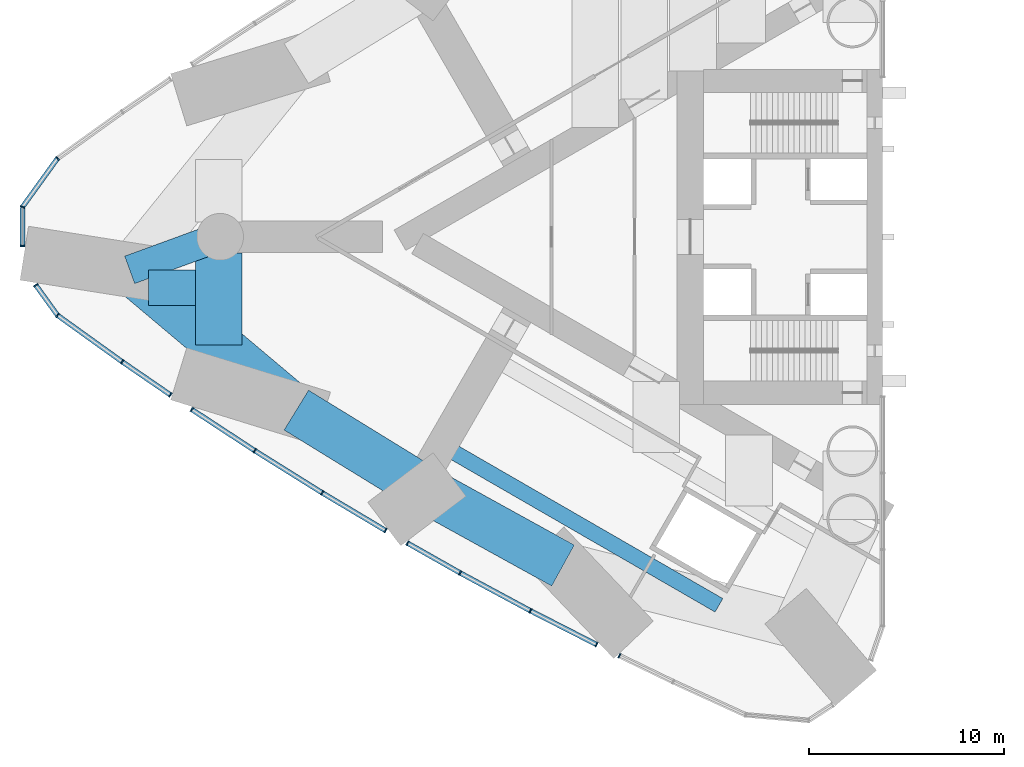
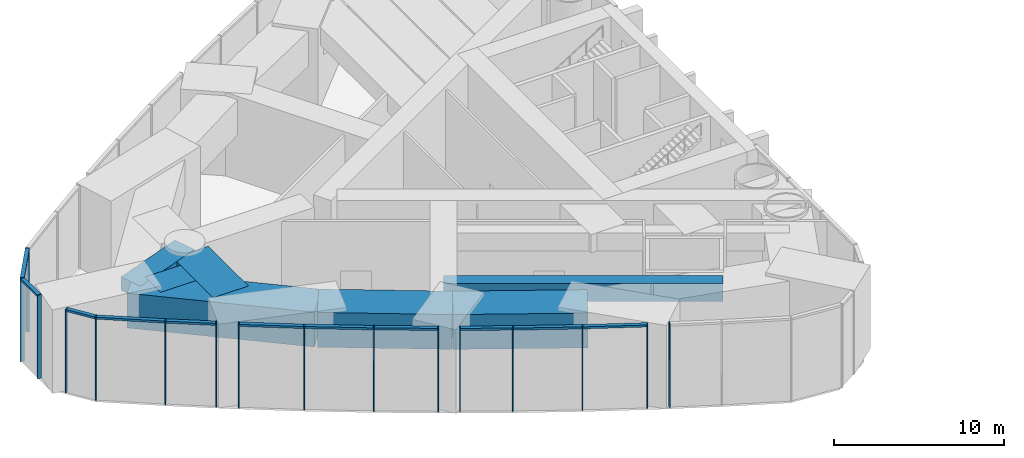
# One storey, part 2 of 16: 27 members, 7 beams, 5 elements without a shape of their own.
"""IFC4 building model written with IfcOpenShell, lengths in metres."""

import ifcopenshell
import ifcopenshell.guid

model = None  # the IFC model being written
_history = None  # IfcOwnerHistory: only IFC2X3 demands one
_inside = {}  # id of a spatial element -> (the spatial element, [elements in it])
_under = {}  # id of a project, library or spatial element -> (it, [spatial elements below it])
_declared = {}  # id of a project -> (the project, [libraries it declares])
_typed = {}  # id of a type object -> (the type object, [elements of that type])
_made_of = {}  # id of a material, layer set ... -> (it, [elements and type objects made of it])


def new_model(schema):
    """Start an empty IFC model of exactly this schema.

    Asked for "IFC4X3", IfcOpenShell would pick the latest addendum, in which some entities
    have other attributes; the version numbers below select the first issue.
    IFC2X3 requires an IfcOwnerHistory on every rooted entity: one is made here for all.
    """
    global model, _history
    if schema == "IFC4X3":
        model = ifcopenshell.file(schema_version=(4, 3, 0, 0))
    else:
        model = ifcopenshell.file(schema=schema)
    _inside.clear()
    _under.clear()
    _declared.clear()
    _typed.clear()
    _made_of.clear()
    _history = None
    if model.schema == "IFC2X3":
        org = make("IfcOrganization", Name="unknown")
        user = make(
            "IfcPersonAndOrganization",
            ThePerson=make("IfcPerson", FamilyName="unknown"),
            TheOrganization=org,
        )
        app = make(
            "IfcApplication",
            ApplicationDeveloper=org,
            Version="unknown",
            ApplicationFullName="unknown",
            ApplicationIdentifier="unknown",
        )
        _history = make(
            "IfcOwnerHistory",
            OwningUser=user,
            OwningApplication=app,
            ChangeAction="ADDED",
            CreationDate=0,
        )
    return model


def make(cls, **values):
    """One entity of the class cls with the attributes given. An attribute that is None is left unset."""
    return model.create_entity(
        cls, **{name: value for name, value in values.items() if value is not None}
    )


def rooted(cls, **values):
    """An entity with a GlobalId (a new one), such as an element, a storey or a relation."""
    return make(cls, GlobalId=ifcopenshell.guid.new(), OwnerHistory=_history, **values)


def si_unit(unit_type, name, prefix=None):
    """IfcSIUnit, for example si_unit("LENGTHUNIT", "METRE", prefix="MILLI")."""
    return make("IfcSIUnit", UnitType=unit_type, Prefix=prefix, Name=name)


def assignment(units):
    """IfcUnitAssignment: the units of a project."""
    return None if units is None else make("IfcUnitAssignment", Units=units)


def point(xyz):
    """IfcCartesianPoint."""
    return None if xyz is None else make("IfcCartesianPoint", Coordinates=xyz)


def direction(xyz):
    """IfcDirection."""
    return None if xyz is None else make("IfcDirection", DirectionRatios=xyz)


def frame(location, z_axis=None, x_axis=None):
    """IfcAxis2Placement3D, a coordinate frame: its origin and axes. An axis left out is left unset."""
    return make(
        "IfcAxis2Placement3D",
        Location=point(location),
        Axis=direction(z_axis),
        RefDirection=direction(x_axis),
    )


def frame_2d(location, x_axis=None):
    """IfcAxis2Placement2D, a coordinate frame in the plane: its origin and x axis."""
    return make(
        "IfcAxis2Placement2D", Location=point(location), RefDirection=direction(x_axis)
    )


def origin():
    """The frame at (0, 0, 0) with its axes left unset."""
    return frame((0.0, 0.0, 0.0))


def origin_2d():
    """The frame at (0, 0) in the plane with its x axis left unset."""
    return frame_2d((0.0, 0.0))


def place(relative_to, where):
    """IfcLocalPlacement: puts the frame where relative to a parent placement (None: the world)."""
    return make(
        "IfcLocalPlacement", PlacementRelTo=relative_to, RelativePlacement=where
    )


def context(
    kind, dimensions, precision=None, world=None, true_north=None, identifier=None
):
    """IfcGeometricRepresentationContext, for example the 3D "Model" context."""
    return make(
        "IfcGeometricRepresentationContext",
        ContextIdentifier=identifier,
        ContextType=kind,
        CoordinateSpaceDimension=dimensions,
        Precision=precision,
        WorldCoordinateSystem=world,
        TrueNorth=true_north,
    )


def subcontext(parent, identifier, kind, view, scale=None):
    """IfcGeometricRepresentationSubContext, for example "Body" below "Model"."""
    return make(
        "IfcGeometricRepresentationSubContext",
        ContextIdentifier=identifier,
        ContextType=kind,
        ParentContext=parent,
        TargetScale=scale,
        TargetView=view,
    )


def project(units=None, contexts=None):
    """IfcProject with its units and contexts."""
    return rooted(
        "IfcProject",
        Name="project",
        RepresentationContexts=contexts,
        UnitsInContext=assignment(units),
    )


def spatial(cls, under=None, at=None, **own):
    """A site, building, storey or space (cls), placed at a placement, below another one or the project."""
    s = rooted(cls, ObjectPlacement=at, **own)
    if under is not None:
        _under.setdefault(under.id(), (under, []))[1].append(s)
    return s


def profile(cls, at=None, kind="AREA", **sizes):
    """A parametric profile (cls). Its sizes go by their IFC names, for example OverallWidth=200.0."""
    return make(cls, ProfileType=kind, Position=at, **sizes)


def rectangle(**sizes):
    """IfcRectangleProfileDef."""
    return profile("IfcRectangleProfileDef", **sizes)


def hollow_rectangle(**sizes):
    """IfcRectangleHollowProfileDef."""
    return profile("IfcRectangleHollowProfileDef", **sizes)


def extrude(swept, where, along, depth):
    """IfcExtrudedAreaSolid: the profile swept, set in the frame where, extruded along a direction by depth."""
    return make(
        "IfcExtrudedAreaSolid",
        SweptArea=swept,
        Position=where,
        ExtrudedDirection=direction(along),
        Depth=depth,
    )


def shape(context_of_items, identifier, shape_type, items):
    """IfcShapeRepresentation: the items that make up one representation, for example the "Body"."""
    return make(
        "IfcShapeRepresentation",
        ContextOfItems=context_of_items,
        RepresentationIdentifier=identifier,
        RepresentationType=shape_type,
        Items=items,
    )


def material(Name=None, Category=None):
    """IfcMaterial."""
    return make("IfcMaterial", Name=Name, Category=Category)


def material_profile(
    of_material, cross_section, Name=None, Category=None, Priority=None
):
    """IfcMaterialProfile: a cross section and its material."""
    return make(
        "IfcMaterialProfile",
        Name=Name,
        Material=of_material,
        Profile=cross_section,
        Priority=Priority,
        Category=Category,
    )


def profile_set(profiles, Name=None, composite=None):
    """IfcMaterialProfileSet."""
    return make(
        "IfcMaterialProfileSet",
        Name=Name,
        MaterialProfiles=profiles,
        CompositeProfile=composite,
    )


def made_of(thing, what):
    """Note that an element or type object is made of a material, layer set ...; save() writes the relation."""
    if what is not None:
        _made_of.setdefault(what.id(), (what, []))[1].append(thing)
    return thing


def type_object(cls, material=None, **own):
    """A type object (cls), such as IfcWallType, which elements share."""
    return made_of(rooted(cls, **own), material)


def element(
    cls,
    number,
    at=None,
    inside=None,
    cuts=None,
    type_object=None,
    material=None,
    context=None,
    identifier="Body",
    shape_type=None,
    held_by="IfcProductDefinitionShape",
    body=None,
    shapes=None,
    **own,
):
    """One element of the class cls, such as IfcWall. Its Tag is "e" and its number.

    at: its placement. inside: the storey or other place that contains it. cuts: it is an
    opening in that element (IfcRelVoidsElement). A single representation is given by context,
    identifier, shape_type and body (its items); several are given by shapes. held_by: the class
    of the entity that holds the representations. save() writes the other relations.
    """
    e = rooted(cls, Tag="e%d" % number, ObjectPlacement=at, **own)
    if body is not None:
        shapes = [shape(context, identifier, shape_type, body)]
    if shapes is not None:
        e.Representation = make(held_by, Representations=shapes)
    if inside is not None:
        _inside.setdefault(inside.id(), (inside, []))[1].append(e)
    if cuts is not None:
        rooted(
            "IfcRelVoidsElement", RelatingBuildingElement=cuts, RelatedOpeningElement=e
        )
    if type_object is not None:
        _typed.setdefault(type_object.id(), (type_object, []))[1].append(e)
    return made_of(e, material)


def aggregate(whole, parts):
    """IfcRelAggregates: a whole, such as a stair, and the parts it consists of."""
    return rooted("IfcRelAggregates", RelatingObject=whole, RelatedObjects=parts)


def save(model, path):
    """Write the relations noted so far, then the file.

    IfcRelAggregates (storeys below a building ...), IfcRelContainedInSpatialStructure (elements
    in a storey), IfcRelDefinesByType, IfcRelAssociatesMaterial and IfcRelDeclares: one each for
    every whole, place, type object, material and project.
    """
    for whole, parts in _under.values():
        aggregate(whole, parts)
    for where, things in _inside.values():
        rooted(
            "IfcRelContainedInSpatialStructure",
            RelatedElements=things,
            RelatingStructure=where,
        )
    for kind, things in _typed.values():
        rooted("IfcRelDefinesByType", RelatedObjects=things, RelatingType=kind)
    for what, things in _made_of.values():
        rooted("IfcRelAssociatesMaterial", RelatedObjects=things, RelatingMaterial=what)
    for by, libraries in _declared.values():
        rooted("IfcRelDeclares", RelatingContext=by, RelatedDefinitions=libraries)
    model.write(path)


model = new_model("IFC4")

# Units and contexts
model_context = context("Model", 3, precision=1e-05, world=origin(), true_north=direction((0.0, 1.0)))
body_context = subcontext(model_context, "Body", "Model", "MODEL_VIEW")
ifc_project = project(units=[si_unit("LENGTHUNIT", "METRE"), si_unit("AREAUNIT", "SQUARE_METRE"), si_unit("VOLUMEUNIT", "CUBIC_METRE"), si_unit("PLANEANGLEUNIT", "RADIAN"), si_unit("MASSUNIT", "GRAM", prefix="KILO")], contexts=[model_context])

# Site, building, storey
site_placement = place(None, origin())
site = spatial("IfcSite", under=ifc_project, at=site_placement, CompositionType="ELEMENT")
building_placement = place(site_placement, origin())
building = spatial("IfcBuilding", under=site, at=building_placement, Name="Lancet Gate Hotel", CompositionType="ELEMENT")
storey_placement = place(building_placement, frame((0.0, 0.0, 146.699951171875)))
storey = spatial("IfcBuildingStorey", under=building, at=storey_placement, Name="L39", CompositionType="ELEMENT", Elevation=146.699951171875)

# Curtain wall, members
ifc_material_1 = material(Name="Aluminium curtain wall", Category="aluminium")
curtain_wall_type = type_object("IfcCurtainWallType", Name="Refuge storey louvred curtain wall", PredefinedType="USERDEFINED", material=ifc_material_1)
curtain_wall_1_placement = place(storey_placement, origin())
curtain_wall_1 = element("IfcCurtainWall", 1, at=curtain_wall_1_placement, inside=storey, type_object=curtain_wall_type, Name="T1 L39 curtain wall 5", ObjectType="LANTERN GLAZING", PredefinedType="USERDEFINED")
ifc_material_2 = material(Name="Aluminium mullion", Category="aluminium")
ifc_material_profile_1 = material_profile(ifc_material_2, rectangle(XDim=0.06494140625, YDim=0.25, at=origin_2d()), Name="MULLION 65x250")
ifc_profile_set_1 = profile_set([ifc_material_profile_1], Name="Aluminium mullion")
member_type_1 = type_object("IfcMemberType", Name="Aluminium mullion 65x250", PredefinedType="MULLION", material=ifc_profile_set_1)
member_1_placement = place(storey_placement, frame((-69.84619140625, 4.02880859375, 0.0), z_axis=(0.0, 0.0, 1.0), x_axis=(-0.723846229576, -0.6899613293, 0.0)))
member_1 = element("IfcMember", 2, at=member_1_placement, type_object=member_type_1, Name="T1 L39 curtain wall 5 mullion 3", PredefinedType="MULLION", context=body_context, shape_type="SweptSolid", body=[
    extrude(rectangle(XDim=0.06494140625, YDim=0.25, at=origin_2d()), origin(), (0.0, 0.0, 1.0), 6.0),
])
member_2_placement = place(storey_placement, frame((-71.64306640625, 1.536376953125, 0.0), z_axis=(0.0, 0.0, 1.0), x_axis=(-0.370731512426, -0.928740085112, 0.0)))
member_2 = element("IfcMember", 3, at=member_2_placement, type_object=member_type_1, Name="T1 L39 curtain wall 5 mullion 4", PredefinedType="MULLION", context=body_context, shape_type="SweptSolid", body=[
    extrude(rectangle(XDim=0.06494140625, YDim=0.25, at=origin_2d()), origin(), (0.0, 0.0, 1.0), 6.0),
])
member_3_placement = place(storey_placement, frame((-71.64306640625, -0.472900390625, 0.0), z_axis=(0.0, 0.0, 1.0), x_axis=(0.0, -1.0, 0.0)))
member_3 = element("IfcMember", 4, at=member_3_placement, type_object=member_type_1, Name="T1 L39 curtain wall 5 mullion 5", PredefinedType="MULLION", context=body_context, shape_type="SweptSolid", body=[
    extrude(rectangle(XDim=0.06494140625, YDim=0.25, at=origin_2d()), origin(), (0.0, 0.0, 1.0), 6.0),
])

curtain_wall_2_placement = place(storey_placement, origin())
curtain_wall_2 = element("IfcCurtainWall", 5, at=curtain_wall_2_placement, inside=storey, type_object=curtain_wall_type, Name="T1 L39 curtain wall 6", ObjectType="LANTERN GLAZING", PredefinedType="USERDEFINED")
member_4_placement = place(storey_placement, frame((-70.958984375, -2.4853515625, 0.0), z_axis=(0.0, 0.0, 1.0), x_axis=(0.584808645706, -0.811171281486, 0.0)))
member_4 = element("IfcMember", 6, at=member_4_placement, type_object=member_type_1, Name="T1 L39 curtain wall 6 mullion 1", PredefinedType="MULLION", context=body_context, shape_type="SweptSolid", body=[
    extrude(rectangle(XDim=0.06494140625, YDim=0.25, at=origin_2d()), origin(), (0.0, 0.0, 1.0), 6.0),
])
member_5_placement = place(storey_placement, frame((-69.84619140625, -4.02880859375, 0.0), z_axis=(0.0, 0.0, 1.0), x_axis=(0.748383342788, -0.663266441363, 0.0)))
member_5 = element("IfcMember", 7, at=member_5_placement, type_object=member_type_1, Name="T1 L39 curtain wall 6 mullion 2", PredefinedType="MULLION", context=body_context, shape_type="SweptSolid", body=[
    extrude(rectangle(XDim=0.06494140625, YDim=0.25, at=origin_2d()), origin(), (0.0, 0.0, 1.0), 6.0),
])
member_6_placement = place(storey_placement, frame((-66.5234375, -6.41650390625, 0.0), z_axis=(0.0, 0.0, 1.0), x_axis=(0.817373224341, -0.576108507254, 0.0)))
member_6 = element("IfcMember", 8, at=member_6_placement, type_object=member_type_1, Name="T1 L39 curtain wall 6 mullion 3", PredefinedType="MULLION", context=body_context, shape_type="SweptSolid", body=[
    extrude(rectangle(XDim=0.06494140625, YDim=0.25, at=origin_2d()), origin(), (0.0, 0.0, 1.0), 6.0),
])
member_7_placement = place(storey_placement, frame((-64.05029296875, -8.11376953125, 0.0), z_axis=(0.0, 0.0, 1.0), x_axis=(0.824466422775, -0.565910874357, 0.0)))
member_7 = element("IfcMember", 9, at=member_7_placement, type_object=member_type_1, Name="T1 L39 curtain wall 6 mullion 4", PredefinedType="MULLION", context=body_context, shape_type="SweptSolid", body=[
    extrude(rectangle(XDim=0.06494140625, YDim=0.25, at=origin_2d()), origin(), (0.0, 0.0, 1.0), 6.0),
])

curtain_wall_3_placement = place(storey_placement, origin())
curtain_wall_3 = element("IfcCurtainWall", 10, at=curtain_wall_3_placement, inside=storey, type_object=curtain_wall_type, Name="T1 L39 curtain wall 7", ObjectType="LANTERN GLAZING", PredefinedType="USERDEFINED")
member_8_placement = place(storey_placement, frame((-62.955078125, -8.859619140625, 0.0), z_axis=(0.0, 0.0, 1.0), x_axis=(0.836457541791, -0.54803173337, 0.0)))
member_8 = element("IfcMember", 11, at=member_8_placement, type_object=member_type_1, Name="T1 L39 curtain wall 7 mullion 1", PredefinedType="MULLION", context=body_context, shape_type="SweptSolid", body=[
    extrude(rectangle(XDim=0.06494140625, YDim=0.25, at=origin_2d()), origin(), (0.0, 0.0, 1.0), 6.0),
])
member_9_placement = place(storey_placement, frame((-59.7275390625, -10.974365234375, 0.0), z_axis=(0.0, 0.0, 1.0), x_axis=(0.842478010334, -0.538730732467, 0.0)))
member_9 = element("IfcMember", 12, at=member_9_placement, type_object=member_type_1, Name="T1 L39 curtain wall 7 mullion 2", PredefinedType="MULLION", context=body_context, shape_type="SweptSolid", body=[
    extrude(rectangle(XDim=0.06494140625, YDim=0.25, at=origin_2d()), origin(), (0.0, 0.0, 1.0), 6.0),
])
member_10_placement = place(storey_placement, frame((-56.257568359375, -13.142333984375, 0.0), z_axis=(0.0, 0.0, 1.0), x_axis=(0.853491766052, -0.521106328192, 0.0)))
member_10 = element("IfcMember", 13, at=member_10_placement, type_object=member_type_1, Name="T1 L39 curtain wall 7 mullion 3", PredefinedType="MULLION", context=body_context, shape_type="SweptSolid", body=[
    extrude(rectangle(XDim=0.06494140625, YDim=0.25, at=origin_2d()), origin(), (0.0, 0.0, 1.0), 6.0),
])
member_11_placement = place(storey_placement, frame((-53.01171875, -15.07470703125, 0.0), z_axis=(0.0, 0.0, 1.0), x_axis=(0.859271431916, -0.511519898238, 0.0)))
member_11 = element("IfcMember", 14, at=member_11_placement, type_object=member_type_1, Name="T1 L39 curtain wall 7 mullion 4", PredefinedType="MULLION", context=body_context, shape_type="SweptSolid", body=[
    extrude(rectangle(XDim=0.06494140625, YDim=0.25, at=origin_2d()), origin(), (0.0, 0.0, 1.0), 6.0),
])

curtain_wall_4_placement = place(storey_placement, origin())
curtain_wall_4 = element("IfcCurtainWall", 15, at=curtain_wall_4_placement, inside=storey, type_object=curtain_wall_type, Name="T1 L39 curtain wall 8", ObjectType="LANTERN GLAZING", PredefinedType="USERDEFINED")
member_12_placement = place(storey_placement, frame((-51.887939453125, -15.718994140625, 0.0), z_axis=(0.0, 0.0, 1.0), x_axis=(0.870083629903, -0.49290412554, 0.0)))
member_12 = element("IfcMember", 16, at=member_12_placement, type_object=member_type_1, Name="T1 L39 curtain wall 8 mullion 1", PredefinedType="MULLION", context=body_context, shape_type="SweptSolid", body=[
    extrude(rectangle(XDim=0.06494140625, YDim=0.25, at=origin_2d()), origin(), (0.0, 0.0, 1.0), 6.0),
])
member_13_placement = place(storey_placement, frame((-49.181640625, -17.252197265625, 0.0), z_axis=(0.0, 0.0, 1.0), x_axis=(0.87604701134, -0.482225708483, 0.0)))
member_13 = element("IfcMember", 17, at=member_13_placement, type_object=member_type_1, Name="T1 L39 curtain wall 8 mullion 2", PredefinedType="MULLION", context=body_context, shape_type="SweptSolid", body=[
    extrude(rectangle(XDim=0.06494140625, YDim=0.25, at=origin_2d()), origin(), (0.0, 0.0, 1.0), 6.0),
])
member_14_placement = place(storey_placement, frame((-45.578857421875, -19.19189453125, 0.0), z_axis=(0.0, 0.0, 1.0), x_axis=(0.885368485126, -0.464889928418, 0.0)))
member_14 = element("IfcMember", 18, at=member_14_placement, type_object=member_type_1, Name="T1 L39 curtain wall 8 mullion 3", PredefinedType="MULLION", context=body_context, shape_type="SweptSolid", body=[
    extrude(rectangle(XDim=0.06494140625, YDim=0.25, at=origin_2d()), origin(), (0.0, 0.0, 1.0), 6.0),
])
member_15_placement = place(storey_placement, frame((-42.182861328125, -20.927001953125, 0.0), z_axis=(0.0, 0.0, 1.0), x_axis=(0.890493479451, -0.45499600334, 0.0)))
member_15 = element("IfcMember", 19, at=member_15_placement, type_object=member_type_1, Name="T1 L39 curtain wall 8 mullion 4", PredefinedType="MULLION", context=body_context, shape_type="SweptSolid", body=[
    extrude(rectangle(XDim=0.06494140625, YDim=0.25, at=origin_2d()), origin(), (0.0, 0.0, 1.0), 6.0),
])

# Curtain wall, member
curtain_wall_5_placement = place(storey_placement, origin())
curtain_wall_5 = element("IfcCurtainWall", 20, at=curtain_wall_5_placement, inside=storey, type_object=curtain_wall_type, Name="T1 L39 curtain wall 9", ObjectType="LANTERN GLAZING", PredefinedType="USERDEFINED")
member_16_placement = place(storey_placement, frame((-41.008056640625, -21.50244140625, 0.0), z_axis=(0.0, 0.0, 1.0), x_axis=(0.900081672047, -0.435721222395, 0.0)))
member_16 = element("IfcMember", 21, at=member_16_placement, type_object=member_type_1, Name="T1 L39 curtain wall 9 mullion 1", PredefinedType="MULLION", context=body_context, shape_type="SweptSolid", body=[
    extrude(rectangle(XDim=0.06494140625, YDim=0.25, at=origin_2d()), origin(), (0.0, 0.0, 1.0), 6.0),
])
aggregate(curtain_wall_5, [member_16])

# Member
ifc_material_3 = material(Name="Aluminium transom", Category="aluminium")
ifc_material_profile_2 = material_profile(ifc_material_3, rectangle(XDim=0.25, YDim=0.14990234375, at=origin_2d()), Name="TRANSOM 250x150")
ifc_profile_set_2 = profile_set([ifc_material_profile_2], Name="Aluminium transom")
member_type_2 = type_object("IfcMemberType", Name="Aluminium transom 250x150", PredefinedType="USERDEFINED", material=ifc_profile_set_2)
member_17_placement = place(storey_placement, frame((-69.865234375, 4.00244140625, 5.925048828125), z_axis=(-0.584787911241, -0.81118622946, 0.0), x_axis=(0.81118622946, -0.584787911241, 0.0)))
member_17 = element("IfcMember", 22, at=member_17_placement, type_object=member_type_2, Name="T1 L39 curtain wall 5 transom 3", ObjectType="TRANSOM", PredefinedType="USERDEFINED", context=body_context, shape_type="SweptSolid", body=[
    extrude(rectangle(XDim=0.25, YDim=0.14990234375, at=origin_2d()), origin(), (0.0, 0.0, 1.0), 3.007568359375),
])

member_18_placement = place(storey_placement, frame((-71.64306640625, 1.50390625, 5.925048828125), z_axis=(0.0, -1.0, 0.0), x_axis=(1.0, 0.0, 0.0)))
member_18 = element("IfcMember", 23, at=member_18_placement, type_object=member_type_2, Name="T1 L39 curtain wall 5 transom 4", ObjectType="TRANSOM", PredefinedType="USERDEFINED", context=body_context, shape_type="SweptSolid", body=[
    extrude(rectangle(XDim=0.25, YDim=0.14990234375, at=origin_2d()), origin(), (0.0, 0.0, 1.0), 1.944091796875),
])

aggregate(curtain_wall_1, [member_1, member_2, member_3, member_17, member_18])

member_19_placement = place(storey_placement, frame((-70.93994140625, -2.51171875, 5.925048828125), z_axis=(0.584801575376, -0.811176378747, 0.0), x_axis=(0.811176378747, 0.584801575376, 0.0)))
member_19 = element("IfcMember", 24, at=member_19_placement, type_object=member_type_2, Name="T1 L39 curtain wall 6 transom 1", ObjectType="TRANSOM", PredefinedType="USERDEFINED", context=body_context, shape_type="SweptSolid", body=[
    extrude(rectangle(XDim=0.25, YDim=0.14990234375, at=origin_2d()), origin(), (0.0, 0.0, 1.0), 1.837646484375),
])

member_20_placement = place(storey_placement, frame((-69.81982421875, -4.0478515625, 5.925048828125), z_axis=(0.812099770796, -0.583518604908, 0.0), x_axis=(0.583518604908, 0.812099770796, 0.0)))
member_20 = element("IfcMember", 25, at=member_20_placement, type_object=member_type_2, Name="T1 L39 curtain wall 6 transom 2", ObjectType="TRANSOM", PredefinedType="USERDEFINED", context=body_context, shape_type="SweptSolid", body=[
    extrude(rectangle(XDim=0.25, YDim=0.14990234375, at=origin_2d()), origin(), (0.0, 0.0, 1.0), 4.026611328125),
])

member_21_placement = place(storey_placement, frame((-66.49658203125, -6.434814453125, 5.925048828125), z_axis=(0.824473774835, -0.565900163111, 0.0), x_axis=(0.565900163111, 0.824473774835, 0.0)))
member_21 = element("IfcMember", 26, at=member_21_placement, type_object=member_type_2, Name="T1 L39 curtain wall 6 transom 3", ObjectType="TRANSOM", PredefinedType="USERDEFINED", context=body_context, shape_type="SweptSolid", body=[
    extrude(rectangle(XDim=0.25, YDim=0.14990234375, at=origin_2d()), origin(), (0.0, 0.0, 1.0), 2.9345703125),
])

aggregate(curtain_wall_2, [member_4, member_5, member_6, member_7, member_19, member_20, member_21])

member_22_placement = place(storey_placement, frame((-62.927978515625, -8.87744140625, 5.925048828125), z_axis=(0.836459095123, -0.548029362522, 0.0), x_axis=(0.548029362522, 0.836459095123, 0.0)))
member_22 = element("IfcMember", 27, at=member_22_placement, type_object=member_type_2, Name="T1 L39 curtain wall 7 transom 1", ObjectType="TRANSOM", PredefinedType="USERDEFINED", context=body_context, shape_type="SweptSolid", body=[
    extrude(rectangle(XDim=0.25, YDim=0.14990234375, at=origin_2d()), origin(), (0.0, 0.0, 1.0), 3.793701171875),
])

member_23_placement = place(storey_placement, frame((-59.699951171875, -10.991455078125, 5.925048828125), z_axis=(0.848049393821, -0.529917187531, 0.0), x_axis=(0.529917187531, 0.848049393821, 0.0)))
member_23 = element("IfcMember", 28, at=member_23_placement, type_object=member_type_2, Name="T1 L39 curtain wall 7 transom 2", ObjectType="TRANSOM", PredefinedType="USERDEFINED", context=body_context, shape_type="SweptSolid", body=[
    extrude(rectangle(XDim=0.25, YDim=0.14990234375, at=origin_2d()), origin(), (0.0, 0.0, 1.0), 4.026611328125),
])

member_24_placement = place(storey_placement, frame((-56.2294921875, -13.1591796875, 5.925048828125), z_axis=(0.859274990737, -0.511513919941, 0.0), x_axis=(0.511513919941, 0.859274990737, 0.0)))
member_24 = element("IfcMember", 29, at=member_24_placement, type_object=member_type_2, Name="T1 L39 curtain wall 7 transom 3", ObjectType="TRANSOM", PredefinedType="USERDEFINED", context=body_context, shape_type="SweptSolid", body=[
    extrude(rectangle(XDim=0.25, YDim=0.14990234375, at=origin_2d()), origin(), (0.0, 0.0, 1.0), 3.71240234375),
])

aggregate(curtain_wall_3, [member_8, member_9, member_10, member_11, member_22, member_23, member_24])

member_25_placement = place(storey_placement, frame((-51.859619140625, -15.735107421875, 5.925048828125), z_axis=(0.870092098854, -0.492889175689, 0.0), x_axis=(0.492889175689, 0.870092098854, 0.0)))
member_25 = element("IfcMember", 30, at=member_25_placement, type_object=member_type_2, Name="T1 L39 curtain wall 8 transom 1", ObjectType="TRANSOM", PredefinedType="USERDEFINED", context=body_context, shape_type="SweptSolid", body=[
    extrude(rectangle(XDim=0.25, YDim=0.14990234375, at=origin_2d()), origin(), (0.0, 0.0, 1.0), 3.045166015625),
])

member_26_placement = place(storey_placement, frame((-49.153076171875, -17.267578125, 5.925048828125), z_axis=(0.880498353192, -0.474049206335, 0.0), x_axis=(0.474049206335, 0.880498353192, 0.0)))
member_26 = element("IfcMember", 31, at=member_26_placement, type_object=member_type_2, Name="T1 L39 curtain wall 8 transom 2", ObjectType="TRANSOM", PredefinedType="USERDEFINED", context=body_context, shape_type="SweptSolid", body=[
    extrude(rectangle(XDim=0.25, YDim=0.14990234375, at=origin_2d()), origin(), (0.0, 0.0, 1.0), 4.02685546875),
])

member_27_placement = place(storey_placement, frame((-45.550048828125, -19.20654296875, 5.925048828125), z_axis=(0.890485698611, -0.455011231256, 0.0), x_axis=(0.455011231256, 0.890485698611, 0.0)))
member_27 = element("IfcMember", 32, at=member_27_placement, type_object=member_type_2, Name="T1 L39 curtain wall 8 transom 3", ObjectType="TRANSOM", PredefinedType="USERDEFINED", context=body_context, shape_type="SweptSolid", body=[
    extrude(rectangle(XDim=0.25, YDim=0.14990234375, at=origin_2d()), origin(), (0.0, 0.0, 1.0), 3.7490234375),
])

aggregate(curtain_wall_4, [member_12, member_13, member_14, member_15, member_25, member_26, member_27])

# Beams
ifc_material_4 = material(Name="Concrete C50/60", Category="concrete")
ifc_material_profile_3 = material_profile(ifc_material_4, rectangle(XDim=2.39990234375, YDim=1.300048828125, at=origin_2d()), Name="RC 2400x1300")
ifc_profile_set_3 = profile_set([ifc_material_profile_3], Name="Concrete C50/60")
beam_type_1 = type_object("IfcBeamType", Name="Floor beam RC 2400x1300", PredefinedType="BEAM", material=ifc_profile_set_3)
beam_1_placement = place(storey_placement, frame((-61.568359375, -0.823486328125, 5.10009765625), z_axis=(0.0, -1.0, 0.0), x_axis=(1.0, 0.0, 0.0)))
element("IfcBeam", 33, at=beam_1_placement, inside=storey, type_object=beam_type_1, Name="T1 floor beam F09N L39", PredefinedType="BEAM", context=body_context, shape_type="SweptSolid", body=[
    extrude(rectangle(XDim=2.39990234375, YDim=1.300048828125, at=origin_2d()), origin(), (0.0, 0.0, 1.0), 4.721435546875),
])
beam_2_placement = place(storey_placement, frame((-63.96826171875, -1.699951171875, 5.10009765625), z_axis=(0.0, -1.0, 0.0), x_axis=(1.0, 0.0, 0.0)))
element("IfcBeam", 34, at=beam_2_placement, inside=storey, type_object=beam_type_1, Name="T1 floor beam F10N L39", PredefinedType="BEAM", context=body_context, shape_type="SweptSolid", body=[
    extrude(rectangle(XDim=2.39990234375, YDim=1.300048828125, at=origin_2d()), origin(), (0.0, 0.0, 1.0), 1.8251953125),
])
ifc_material_5 = material(Name="Concrete C50/60", Category="concrete")
ifc_material_profile_4 = material_profile(ifc_material_5, rectangle(XDim=1.5, YDim=0.949951171875, at=origin_2d()), Name="RC 1500x950")
ifc_profile_set_4 = profile_set([ifc_material_profile_4], Name="Concrete C50/60")
beam_type_2 = type_object("IfcBeamType", Name="Radial floor beam RC 1500x950", PredefinedType="BEAM", material=ifc_profile_set_4)
beam_3_placement = place(storey_placement, frame((-66.142578125, -1.6953125, 5.275146484375), z_axis=(0.939331048204, 0.343011926732, 0.0), x_axis=(-0.343011926732, 0.939331048204, 0.0)))
element("IfcBeam", 35, at=beam_3_placement, inside=storey, type_object=beam_type_2, Name="T1 radial beam CA L39", PredefinedType="BEAM", context=body_context, shape_type="SweptSolid", body=[
    extrude(rectangle(XDim=1.5, YDim=0.949951171875, at=origin_2d()), origin(), (0.0, 0.0, 1.0), 4.9423828125),
])
ifc_material_6 = material(Name="Concrete C50/60", Category="concrete")
ifc_material_profile_5 = material_profile(ifc_material_6, rectangle(XDim=2.39990234375, YDim=2.5, at=origin_2d()), Name="RC 2400x2500")
ifc_profile_set_5 = profile_set([ifc_material_profile_5], Name="Concrete C50/60")
beam_type_3 = type_object("IfcBeamType", Name="Tie ring beam RC 2400x2500", PredefinedType="SPANDREL", material=ifc_profile_set_5)
beam_4_placement = place(storey_placement, frame((-66.142578125, -1.6953125, 4.5), z_axis=(0.765120708367, -0.64388687021, 0.0), x_axis=(0.64388687021, 0.765120708367, 0.0)))
element("IfcBeam", 36, at=beam_4_placement, inside=storey, type_object=beam_type_3, Name="T1 tie ring beam RG1 L39", PredefinedType="SPANDREL", context=body_context, shape_type="SweptSolid", body=[
    extrude(rectangle(XDim=2.39990234375, YDim=2.5, at=origin_2d()), origin(), (0.0, 0.0, 1.0), 11.1787109375),
])
beam_5_placement = place(storey_placement, frame((-57.589599609375, -8.89306640625, 4.5), z_axis=(0.851892008043, -0.523717487423, 0.0), x_axis=(0.523717487423, 0.851892008043, 0.0)))
element("IfcBeam", 37, at=beam_5_placement, inside=storey, type_object=beam_type_3, Name="T1 tie ring beam RG1 L39", PredefinedType="SPANDREL", context=body_context, shape_type="SweptSolid", body=[
    extrude(rectangle(XDim=2.39990234375, YDim=2.5, at=origin_2d()), origin(), (0.0, 0.0, 1.0), 7.92431640625),
])
beam_6_placement = place(storey_placement, frame((-50.8388671875, -13.043212890625, 4.5), z_axis=(0.875577684027, -0.483077342911, 0.0), x_axis=(0.483077342911, 0.875577684027, 0.0)))
element("IfcBeam", 38, at=beam_6_placement, inside=storey, type_object=beam_type_3, Name="T1 tie ring beam RG1 L39", PredefinedType="SPANDREL", context=body_context, shape_type="SweptSolid", body=[
    extrude(rectangle(XDim=2.39990234375, YDim=2.5, at=origin_2d()), origin(), (0.0, 0.0, 1.0), 7.924560546875),
])
ifc_material_7 = material(Name="Steel S460QL", Category="steel")
ifc_material_profile_6 = material_profile(ifc_material_7, hollow_rectangle(XDim=0.800048828125, YDim=1.300048828125, WallThickness=0.080078125, at=origin_2d()), Name="BOX 1300x800x80")
ifc_profile_set_6 = profile_set([ifc_material_profile_6], Name="Steel S460QL")
beam_type_4 = type_object("IfcBeamType", Name="Trimmer beam BOX 1300x800x80", PredefinedType="BEAM", material=ifc_profile_set_6)
beam_7_placement = place(storey_placement, frame((-35.897705078125, -18.911376953125, 5.10009765625), z_axis=(-0.866046200585, 0.499963977155, 0.0), x_axis=(-0.499963977155, -0.866046200585, 0.0)))
element("IfcBeam", 39, at=beam_7_placement, inside=storey, type_object=beam_type_4, Name="T1 trimmer beam TR02N L39", PredefinedType="BEAM", context=body_context, shape_type="SweptSolid", body=[
    extrude(hollow_rectangle(XDim=0.800048828125, YDim=1.300048828125, WallThickness=0.080078125, at=origin_2d()), origin(), (0.0, 0.0, 1.0), 16.421142578125),
])

save(model, "model.ifc")
